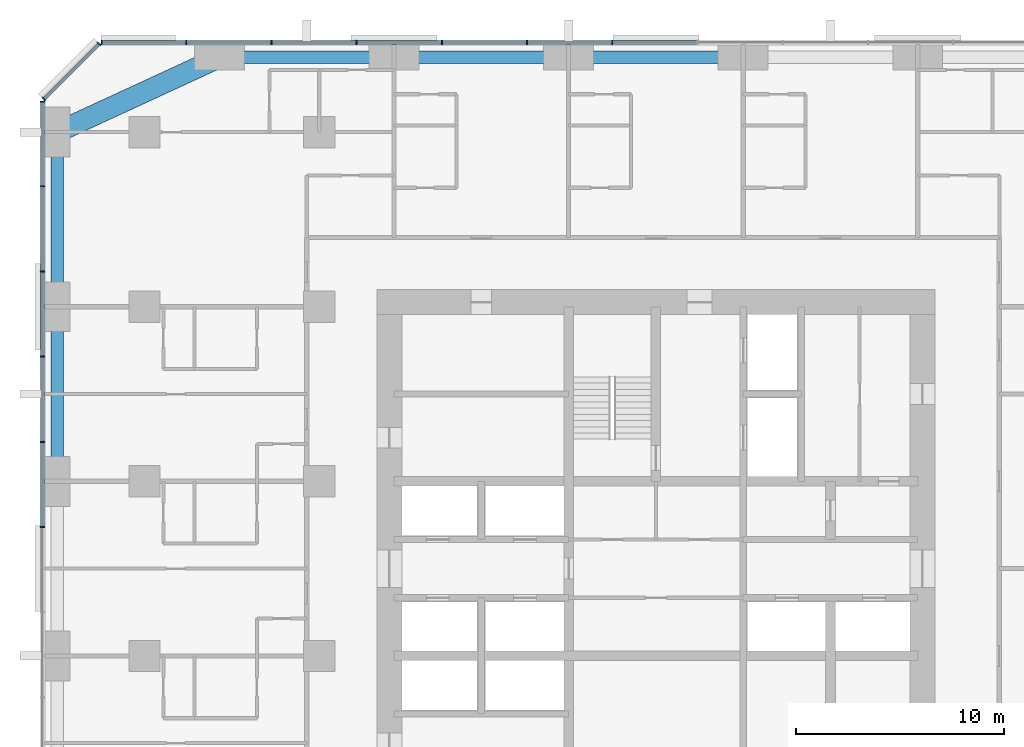
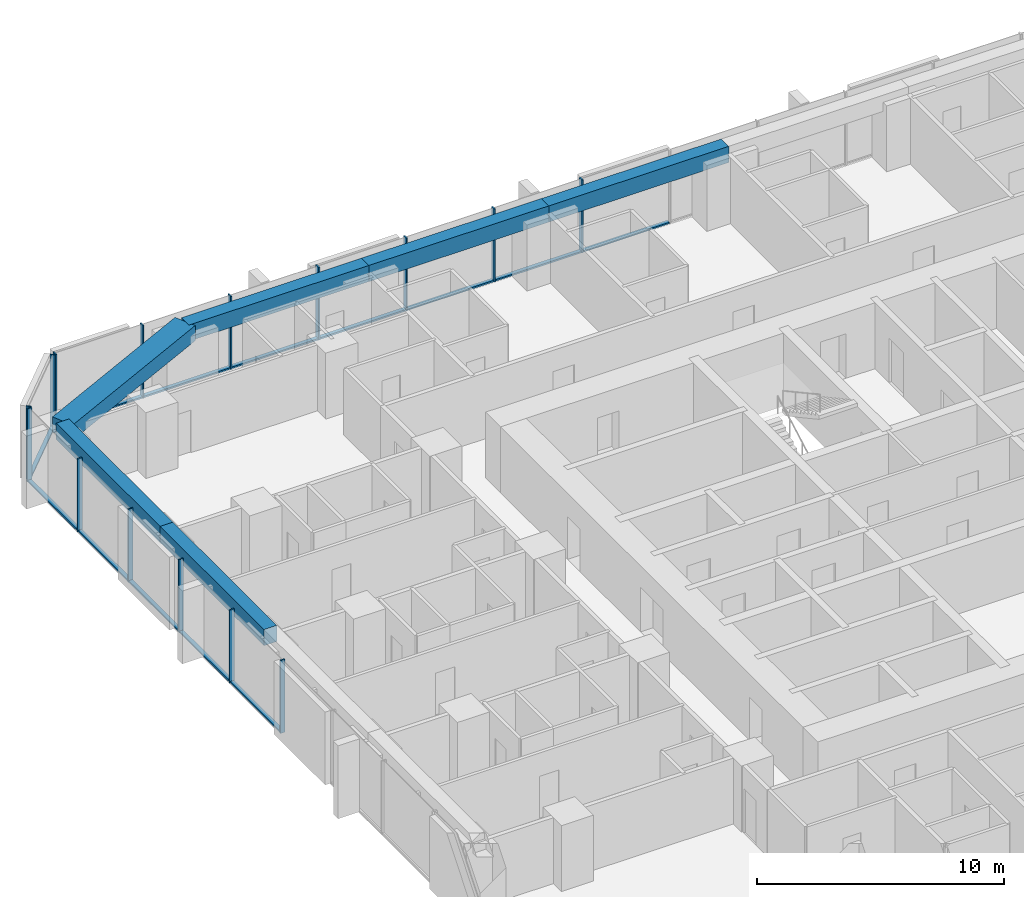
# One storey, part 5 of 14: 28 members, 6 beams, 3 elements without a shape of their own.
"""IFC4 building model written with IfcOpenShell, lengths in metres."""

import ifcopenshell
import ifcopenshell.guid

model = None  # the IFC model being written
_history = None  # IfcOwnerHistory: only IFC2X3 demands one
_inside = {}  # id of a spatial element -> (the spatial element, [elements in it])
_under = {}  # id of a project, library or spatial element -> (it, [spatial elements below it])
_declared = {}  # id of a project -> (the project, [libraries it declares])
_typed = {}  # id of a type object -> (the type object, [elements of that type])
_made_of = {}  # id of a material, layer set ... -> (it, [elements and type objects made of it])


def new_model(schema):
    """Start an empty IFC model of exactly this schema.

    Asked for "IFC4X3", IfcOpenShell would pick the latest addendum, in which some entities
    have other attributes; the version numbers below select the first issue.
    IFC2X3 requires an IfcOwnerHistory on every rooted entity: one is made here for all.
    """
    global model, _history
    if schema == "IFC4X3":
        model = ifcopenshell.file(schema_version=(4, 3, 0, 0))
    else:
        model = ifcopenshell.file(schema=schema)
    _inside.clear()
    _under.clear()
    _declared.clear()
    _typed.clear()
    _made_of.clear()
    _history = None
    if model.schema == "IFC2X3":
        org = make("IfcOrganization", Name="unknown")
        user = make(
            "IfcPersonAndOrganization",
            ThePerson=make("IfcPerson", FamilyName="unknown"),
            TheOrganization=org,
        )
        app = make(
            "IfcApplication",
            ApplicationDeveloper=org,
            Version="unknown",
            ApplicationFullName="unknown",
            ApplicationIdentifier="unknown",
        )
        _history = make(
            "IfcOwnerHistory",
            OwningUser=user,
            OwningApplication=app,
            ChangeAction="ADDED",
            CreationDate=0,
        )
    return model


def make(cls, **values):
    """One entity of the class cls with the attributes given. An attribute that is None is left unset."""
    return model.create_entity(
        cls, **{name: value for name, value in values.items() if value is not None}
    )


def rooted(cls, **values):
    """An entity with a GlobalId (a new one), such as an element, a storey or a relation."""
    return make(cls, GlobalId=ifcopenshell.guid.new(), OwnerHistory=_history, **values)


def si_unit(unit_type, name, prefix=None):
    """IfcSIUnit, for example si_unit("LENGTHUNIT", "METRE", prefix="MILLI")."""
    return make("IfcSIUnit", UnitType=unit_type, Prefix=prefix, Name=name)


def assignment(units):
    """IfcUnitAssignment: the units of a project."""
    return None if units is None else make("IfcUnitAssignment", Units=units)


def point(xyz):
    """IfcCartesianPoint."""
    return None if xyz is None else make("IfcCartesianPoint", Coordinates=xyz)


def direction(xyz):
    """IfcDirection."""
    return None if xyz is None else make("IfcDirection", DirectionRatios=xyz)


def frame(location, z_axis=None, x_axis=None):
    """IfcAxis2Placement3D, a coordinate frame: its origin and axes. An axis left out is left unset."""
    return make(
        "IfcAxis2Placement3D",
        Location=point(location),
        Axis=direction(z_axis),
        RefDirection=direction(x_axis),
    )


def frame_2d(location, x_axis=None):
    """IfcAxis2Placement2D, a coordinate frame in the plane: its origin and x axis."""
    return make(
        "IfcAxis2Placement2D", Location=point(location), RefDirection=direction(x_axis)
    )


def origin():
    """The frame at (0, 0, 0) with its axes left unset."""
    return frame((0.0, 0.0, 0.0))


def origin_2d():
    """The frame at (0, 0) in the plane with its x axis left unset."""
    return frame_2d((0.0, 0.0))


def place(relative_to, where):
    """IfcLocalPlacement: puts the frame where relative to a parent placement (None: the world)."""
    return make(
        "IfcLocalPlacement", PlacementRelTo=relative_to, RelativePlacement=where
    )


def context(
    kind, dimensions, precision=None, world=None, true_north=None, identifier=None
):
    """IfcGeometricRepresentationContext, for example the 3D "Model" context."""
    return make(
        "IfcGeometricRepresentationContext",
        ContextIdentifier=identifier,
        ContextType=kind,
        CoordinateSpaceDimension=dimensions,
        Precision=precision,
        WorldCoordinateSystem=world,
        TrueNorth=true_north,
    )


def subcontext(parent, identifier, kind, view, scale=None):
    """IfcGeometricRepresentationSubContext, for example "Body" below "Model"."""
    return make(
        "IfcGeometricRepresentationSubContext",
        ContextIdentifier=identifier,
        ContextType=kind,
        ParentContext=parent,
        TargetScale=scale,
        TargetView=view,
    )


def project(units=None, contexts=None):
    """IfcProject with its units and contexts."""
    return rooted(
        "IfcProject",
        Name="project",
        RepresentationContexts=contexts,
        UnitsInContext=assignment(units),
    )


def spatial(cls, under=None, at=None, **own):
    """A site, building, storey or space (cls), placed at a placement, below another one or the project."""
    s = rooted(cls, ObjectPlacement=at, **own)
    if under is not None:
        _under.setdefault(under.id(), (under, []))[1].append(s)
    return s


def profile(cls, at=None, kind="AREA", **sizes):
    """A parametric profile (cls). Its sizes go by their IFC names, for example OverallWidth=200.0."""
    return make(cls, ProfileType=kind, Position=at, **sizes)


def rectangle(**sizes):
    """IfcRectangleProfileDef."""
    return profile("IfcRectangleProfileDef", **sizes)


def extrude(swept, where, along, depth):
    """IfcExtrudedAreaSolid: the profile swept, set in the frame where, extruded along a direction by depth."""
    return make(
        "IfcExtrudedAreaSolid",
        SweptArea=swept,
        Position=where,
        ExtrudedDirection=direction(along),
        Depth=depth,
    )


def shape(context_of_items, identifier, shape_type, items):
    """IfcShapeRepresentation: the items that make up one representation, for example the "Body"."""
    return make(
        "IfcShapeRepresentation",
        ContextOfItems=context_of_items,
        RepresentationIdentifier=identifier,
        RepresentationType=shape_type,
        Items=items,
    )


def material(Name=None, Category=None):
    """IfcMaterial."""
    return make("IfcMaterial", Name=Name, Category=Category)


def material_profile(
    of_material, cross_section, Name=None, Category=None, Priority=None
):
    """IfcMaterialProfile: a cross section and its material."""
    return make(
        "IfcMaterialProfile",
        Name=Name,
        Material=of_material,
        Profile=cross_section,
        Priority=Priority,
        Category=Category,
    )


def profile_set(profiles, Name=None, composite=None):
    """IfcMaterialProfileSet."""
    return make(
        "IfcMaterialProfileSet",
        Name=Name,
        MaterialProfiles=profiles,
        CompositeProfile=composite,
    )


def made_of(thing, what):
    """Note that an element or type object is made of a material, layer set ...; save() writes the relation."""
    if what is not None:
        _made_of.setdefault(what.id(), (what, []))[1].append(thing)
    return thing


def type_object(cls, material=None, **own):
    """A type object (cls), such as IfcWallType, which elements share."""
    return made_of(rooted(cls, **own), material)


def element(
    cls,
    number,
    at=None,
    inside=None,
    cuts=None,
    type_object=None,
    material=None,
    context=None,
    identifier="Body",
    shape_type=None,
    held_by="IfcProductDefinitionShape",
    body=None,
    shapes=None,
    **own,
):
    """One element of the class cls, such as IfcWall. Its Tag is "e" and its number.

    at: its placement. inside: the storey or other place that contains it. cuts: it is an
    opening in that element (IfcRelVoidsElement). A single representation is given by context,
    identifier, shape_type and body (its items); several are given by shapes. held_by: the class
    of the entity that holds the representations. save() writes the other relations.
    """
    e = rooted(cls, Tag="e%d" % number, ObjectPlacement=at, **own)
    if body is not None:
        shapes = [shape(context, identifier, shape_type, body)]
    if shapes is not None:
        e.Representation = make(held_by, Representations=shapes)
    if inside is not None:
        _inside.setdefault(inside.id(), (inside, []))[1].append(e)
    if cuts is not None:
        rooted(
            "IfcRelVoidsElement", RelatingBuildingElement=cuts, RelatedOpeningElement=e
        )
    if type_object is not None:
        _typed.setdefault(type_object.id(), (type_object, []))[1].append(e)
    return made_of(e, material)


def aggregate(whole, parts):
    """IfcRelAggregates: a whole, such as a stair, and the parts it consists of."""
    return rooted("IfcRelAggregates", RelatingObject=whole, RelatedObjects=parts)


def save(model, path):
    """Write the relations noted so far, then the file.

    IfcRelAggregates (storeys below a building ...), IfcRelContainedInSpatialStructure (elements
    in a storey), IfcRelDefinesByType, IfcRelAssociatesMaterial and IfcRelDeclares: one each for
    every whole, place, type object, material and project.
    """
    for whole, parts in _under.values():
        aggregate(whole, parts)
    for where, things in _inside.values():
        rooted(
            "IfcRelContainedInSpatialStructure",
            RelatedElements=things,
            RelatingStructure=where,
        )
    for kind, things in _typed.values():
        rooted("IfcRelDefinesByType", RelatedObjects=things, RelatingType=kind)
    for what, things in _made_of.values():
        rooted("IfcRelAssociatesMaterial", RelatedObjects=things, RelatingMaterial=what)
    for by, libraries in _declared.values():
        rooted("IfcRelDeclares", RelatingContext=by, RelatedDefinitions=libraries)
    model.write(path)


model = new_model("IFC4")

# Units and contexts
model_context = context("Model", 3, precision=1e-05, world=origin(), true_north=direction((0.0, 1.0)))
body_context = subcontext(model_context, "Body", "Model", "MODEL_VIEW")
ifc_project = project(units=[si_unit("LENGTHUNIT", "METRE"), si_unit("AREAUNIT", "SQUARE_METRE"), si_unit("VOLUMEUNIT", "CUBIC_METRE"), si_unit("PLANEANGLEUNIT", "RADIAN"), si_unit("MASSUNIT", "GRAM", prefix="KILO")], contexts=[model_context])

# Site, building, storey
site_placement = place(None, origin())
site = spatial("IfcSite", under=ifc_project, at=site_placement, CompositionType="ELEMENT")
building_placement = place(site_placement, origin())
building = spatial("IfcBuilding", under=site, at=building_placement, Name="Dunama Terrace Hotel", CompositionType="ELEMENT")
storey_placement = place(building_placement, frame((0.0, 0.0, 104.39990234375)))
storey = spatial("IfcBuildingStorey", under=building, at=storey_placement, Name="L26", CompositionType="ELEMENT", Elevation=104.39990234375)

# Curtain wall, members
ifc_material_1 = material(Name="Aluminium curtain wall system", Category="aluminium")
curtain_wall_type = type_object("IfcCurtainWallType", Name="Unitised fritted glass wall CW-B", PredefinedType="NOTDEFINED", material=ifc_material_1)
curtain_wall_1_placement = place(storey_placement, origin())
curtain_wall_1 = element("IfcCurtainWall", 1, at=curtain_wall_1_placement, inside=storey, type_object=curtain_wall_type, Name="Unitised fritted glass wall CW-B L26", PredefinedType="NOTDEFINED")
ifc_material_2 = material(Name="Aluminium mullion", Category="aluminium")
ifc_material_profile_1 = material_profile(ifc_material_2, rectangle(XDim=0.06494140625, YDim=0.219970703125, at=origin_2d()), Name="CWB MULLION 65X220")
ifc_profile_set_1 = profile_set([ifc_material_profile_1], Name="Aluminium mullion")
member_type_1 = type_object("IfcMemberType", Name="CWB mullion 65x220", PredefinedType="MULLION", material=ifc_profile_set_1)
member_1_placement = place(storey_placement, frame((27.300048828125, 54.7099609375, 0.0), z_axis=(0.0, 0.0, 1.0), x_axis=(-1.0, 0.0, 0.0)))
member_1 = element("IfcMember", 2, at=member_1_placement, type_object=member_type_1, Name="CWB mullion", PredefinedType="MULLION", context=body_context, shape_type="SweptSolid", body=[
    extrude(rectangle(XDim=0.06494140625, YDim=0.219970703125, at=origin_2d()), origin(), (0.0, 0.0, 1.0), 3.60009765625),
])
member_2_placement = place(storey_placement, frame((23.199951171875, 54.7099609375, 0.0), z_axis=(0.0, 0.0, 1.0), x_axis=(-1.0, 0.0, 0.0)))
member_2 = element("IfcMember", 3, at=member_2_placement, type_object=member_type_1, Name="CWB mullion", PredefinedType="MULLION", context=body_context, shape_type="SweptSolid", body=[
    extrude(rectangle(XDim=0.06494140625, YDim=0.219970703125, at=origin_2d()), origin(), (0.0, 0.0, 1.0), 3.60009765625),
])
member_3_placement = place(storey_placement, frame((19.10009765625, 54.7099609375, 0.0), z_axis=(0.0, 0.0, 1.0), x_axis=(-1.0, 0.0, 0.0)))
member_3 = element("IfcMember", 4, at=member_3_placement, type_object=member_type_1, Name="CWB mullion", PredefinedType="MULLION", context=body_context, shape_type="SweptSolid", body=[
    extrude(rectangle(XDim=0.06494140625, YDim=0.219970703125, at=origin_2d()), origin(), (0.0, 0.0, 1.0), 3.60009765625),
])
member_4_placement = place(storey_placement, frame((15.0, 54.7099609375, 0.0), z_axis=(0.0, 0.0, 1.0), x_axis=(-1.0, 0.0, 0.0)))
member_4 = element("IfcMember", 5, at=member_4_placement, type_object=member_type_1, Name="CWB mullion", PredefinedType="MULLION", context=body_context, shape_type="SweptSolid", body=[
    extrude(rectangle(XDim=0.06494140625, YDim=0.219970703125, at=origin_2d()), origin(), (0.0, 0.0, 1.0), 3.60009765625),
])
member_5_placement = place(storey_placement, frame((10.89990234375, 54.7099609375, 0.0), z_axis=(0.0, 0.0, 1.0), x_axis=(-1.0, 0.0, 0.0)))
member_5 = element("IfcMember", 6, at=member_5_placement, type_object=member_type_1, Name="CWB mullion", PredefinedType="MULLION", context=body_context, shape_type="SweptSolid", body=[
    extrude(rectangle(XDim=0.06494140625, YDim=0.219970703125, at=origin_2d()), origin(), (0.0, 0.0, 1.0), 3.60009765625),
])
member_6_placement = place(storey_placement, frame((6.800048828125, 54.7099609375, 0.0), z_axis=(0.0, 0.0, 1.0), x_axis=(-1.0, 0.0, 0.0)))
member_6 = element("IfcMember", 7, at=member_6_placement, type_object=member_type_1, Name="CWB mullion", PredefinedType="MULLION", context=body_context, shape_type="SweptSolid", body=[
    extrude(rectangle(XDim=0.06494140625, YDim=0.219970703125, at=origin_2d()), origin(), (0.0, 0.0, 1.0), 3.60009765625),
])
member_7_placement = place(storey_placement, frame((2.73291015625, 54.7099609375, 0.0), z_axis=(0.0, 0.0, 1.0), x_axis=(-1.0, 0.0, 0.0)))
member_7 = element("IfcMember", 8, at=member_7_placement, type_object=member_type_1, Name="CWB mullion", PredefinedType="MULLION", context=body_context, shape_type="SweptSolid", body=[
    extrude(rectangle(XDim=0.06494140625, YDim=0.219970703125, at=origin_2d()), origin(), (0.0, 0.0, 1.0), 3.60009765625),
])

curtain_wall_2_placement = place(storey_placement, origin())
curtain_wall_2 = element("IfcCurtainWall", 9, at=curtain_wall_2_placement, inside=storey, type_object=curtain_wall_type, Name="Unitised fritted glass wall CW-B L26", PredefinedType="NOTDEFINED")
member_8_placement = place(storey_placement, frame((2.59912109375, 54.655029296875, 0.0), z_axis=(0.0, 0.0, 1.0), x_axis=(-0.707106781187, -0.707106781187, 0.0)))
member_8 = element("IfcMember", 10, at=member_8_placement, type_object=member_type_1, Name="CWB mullion", PredefinedType="MULLION", context=body_context, shape_type="SweptSolid", body=[
    extrude(rectangle(XDim=0.06494140625, YDim=0.219970703125, at=origin_2d()), origin(), (0.0, 0.0, 1.0), 3.60009765625),
])
member_9_placement = place(storey_placement, frame((-0.054931640625, 52.0009765625, 0.0), z_axis=(0.0, 0.0, 1.0), x_axis=(-0.707106781187, -0.707106781187, 0.0)))
member_9 = element("IfcMember", 11, at=member_9_placement, type_object=member_type_1, Name="CWB mullion", PredefinedType="MULLION", context=body_context, shape_type="SweptSolid", body=[
    extrude(rectangle(XDim=0.06494140625, YDim=0.219970703125, at=origin_2d()), origin(), (0.0, 0.0, 1.0), 3.60009765625),
])

curtain_wall_3_placement = place(storey_placement, origin())
curtain_wall_3 = element("IfcCurtainWall", 12, at=curtain_wall_3_placement, inside=storey, type_object=curtain_wall_type, Name="Unitised fritted glass wall CW-B L26", PredefinedType="NOTDEFINED")
member_10_placement = place(storey_placement, frame((-0.110107421875, 51.866943359375, 0.0), z_axis=(0.0, 0.0, 1.0), x_axis=(0.0, -1.0, 0.0)))
member_10 = element("IfcMember", 13, at=member_10_placement, type_object=member_type_1, Name="CWB mullion", PredefinedType="MULLION", context=body_context, shape_type="SweptSolid", body=[
    extrude(rectangle(XDim=0.06494140625, YDim=0.219970703125, at=origin_2d()), origin(), (0.0, 0.0, 1.0), 3.60009765625),
])
member_11_placement = place(storey_placement, frame((-0.110107421875, 47.800048828125, 0.0), z_axis=(0.0, 0.0, 1.0), x_axis=(0.0, -1.0, 0.0)))
member_11 = element("IfcMember", 14, at=member_11_placement, type_object=member_type_1, Name="CWB mullion", PredefinedType="MULLION", context=body_context, shape_type="SweptSolid", body=[
    extrude(rectangle(XDim=0.06494140625, YDim=0.219970703125, at=origin_2d()), origin(), (0.0, 0.0, 1.0), 3.60009765625),
])
member_12_placement = place(storey_placement, frame((-0.110107421875, 43.699951171875, 0.0), z_axis=(0.0, 0.0, 1.0), x_axis=(0.0, -1.0, 0.0)))
member_12 = element("IfcMember", 15, at=member_12_placement, type_object=member_type_1, Name="CWB mullion", PredefinedType="MULLION", context=body_context, shape_type="SweptSolid", body=[
    extrude(rectangle(XDim=0.06494140625, YDim=0.219970703125, at=origin_2d()), origin(), (0.0, 0.0, 1.0), 3.60009765625),
])
member_13_placement = place(storey_placement, frame((-0.110107421875, 39.60009765625, 0.0), z_axis=(0.0, 0.0, 1.0), x_axis=(0.0, -1.0, 0.0)))
member_13 = element("IfcMember", 16, at=member_13_placement, type_object=member_type_1, Name="CWB mullion", PredefinedType="MULLION", context=body_context, shape_type="SweptSolid", body=[
    extrude(rectangle(XDim=0.06494140625, YDim=0.219970703125, at=origin_2d()), origin(), (0.0, 0.0, 1.0), 3.60009765625),
])
member_14_placement = place(storey_placement, frame((-0.110107421875, 35.5, 0.0), z_axis=(0.0, 0.0, 1.0), x_axis=(0.0, -1.0, 0.0)))
member_14 = element("IfcMember", 17, at=member_14_placement, type_object=member_type_1, Name="CWB mullion", PredefinedType="MULLION", context=body_context, shape_type="SweptSolid", body=[
    extrude(rectangle(XDim=0.06494140625, YDim=0.219970703125, at=origin_2d()), origin(), (0.0, 0.0, 1.0), 3.60009765625),
])
member_15_placement = place(storey_placement, frame((-0.110107421875, 31.39990234375, 0.0), z_axis=(0.0, 0.0, 1.0), x_axis=(0.0, -1.0, 0.0)))
member_15 = element("IfcMember", 18, at=member_15_placement, type_object=member_type_1, Name="CWB mullion", PredefinedType="MULLION", context=body_context, shape_type="SweptSolid", body=[
    extrude(rectangle(XDim=0.06494140625, YDim=0.219970703125, at=origin_2d()), origin(), (0.0, 0.0, 1.0), 3.60009765625),
])

# Member
ifc_material_3 = material(Name="Aluminium transom", Category="aluminium")
ifc_material_profile_2 = material_profile(ifc_material_3, rectangle(XDim=0.179931640625, YDim=0.080078125, at=origin_2d()), Name="CWB TRANSOM 180X80")
ifc_profile_set_2 = profile_set([ifc_material_profile_2], Name="Aluminium transom")
member_type_2 = type_object("IfcMemberType", Name="CWB transom 180x80", PredefinedType="USERDEFINED", material=ifc_profile_set_2)
member_16_placement = place(storey_placement, frame((31.366943359375, 54.7099609375, 0.0400390625), z_axis=(-1.0, 0.0, 0.0), x_axis=(0.0, -1.0, 0.0)))
member_16 = element("IfcMember", 19, at=member_16_placement, type_object=member_type_2, Name="CWB transom", ObjectType="TRANSOM", PredefinedType="USERDEFINED", context=body_context, shape_type="SweptSolid", body=[
    extrude(rectangle(XDim=0.179931640625, YDim=0.080078125, at=origin_2d()), origin(), (0.0, 0.0, 1.0), 4.034912109375),
])

member_17_placement = place(storey_placement, frame((27.26806640625, 54.7099609375, 0.0400390625), z_axis=(-1.0, 0.0, 0.0), x_axis=(0.0, -1.0, 0.0)))
member_17 = element("IfcMember", 20, at=member_17_placement, type_object=member_type_2, Name="CWB transom", ObjectType="TRANSOM", PredefinedType="USERDEFINED", context=body_context, shape_type="SweptSolid", body=[
    extrude(rectangle(XDim=0.179931640625, YDim=0.080078125, at=origin_2d()), origin(), (0.0, 0.0, 1.0), 4.03515625),
])

member_18_placement = place(storey_placement, frame((23.16796875, 54.7099609375, 0.0400390625), z_axis=(-1.0, 0.0, 0.0), x_axis=(0.0, -1.0, 0.0)))
member_18 = element("IfcMember", 21, at=member_18_placement, type_object=member_type_2, Name="CWB transom", ObjectType="TRANSOM", PredefinedType="USERDEFINED", context=body_context, shape_type="SweptSolid", body=[
    extrude(rectangle(XDim=0.179931640625, YDim=0.080078125, at=origin_2d()), origin(), (0.0, 0.0, 1.0), 4.034912109375),
])

member_19_placement = place(storey_placement, frame((19.068115234375, 54.7099609375, 0.0400390625), z_axis=(-1.0, 0.0, 0.0), x_axis=(0.0, -1.0, 0.0)))
member_19 = element("IfcMember", 22, at=member_19_placement, type_object=member_type_2, Name="CWB transom", ObjectType="TRANSOM", PredefinedType="USERDEFINED", context=body_context, shape_type="SweptSolid", body=[
    extrude(rectangle(XDim=0.179931640625, YDim=0.080078125, at=origin_2d()), origin(), (0.0, 0.0, 1.0), 4.0361328125),
])

member_20_placement = place(storey_placement, frame((14.968017578125, 54.7099609375, 0.0400390625), z_axis=(-1.0, 0.0, 0.0), x_axis=(0.0, -1.0, 0.0)))
member_20 = element("IfcMember", 23, at=member_20_placement, type_object=member_type_2, Name="CWB transom", ObjectType="TRANSOM", PredefinedType="USERDEFINED", context=body_context, shape_type="SweptSolid", body=[
    extrude(rectangle(XDim=0.179931640625, YDim=0.080078125, at=origin_2d()), origin(), (0.0, 0.0, 1.0), 4.0361328125),
])

member_21_placement = place(storey_placement, frame((10.866943359375, 54.7099609375, 0.0400390625), z_axis=(-1.0, 0.0, 0.0), x_axis=(0.0, -1.0, 0.0)))
member_21 = element("IfcMember", 24, at=member_21_placement, type_object=member_type_2, Name="CWB transom", ObjectType="TRANSOM", PredefinedType="USERDEFINED", context=body_context, shape_type="SweptSolid", body=[
    extrude(rectangle(XDim=0.179931640625, YDim=0.080078125, at=origin_2d()), origin(), (0.0, 0.0, 1.0), 4.033935546875),
])

member_22_placement = place(storey_placement, frame((6.76806640625, 54.7099609375, 0.0400390625), z_axis=(-1.0, 0.0, 0.0), x_axis=(0.0, -1.0, 0.0)))
member_22 = element("IfcMember", 25, at=member_22_placement, type_object=member_type_2, Name="CWB transom", ObjectType="TRANSOM", PredefinedType="USERDEFINED", context=body_context, shape_type="SweptSolid", body=[
    extrude(rectangle(XDim=0.179931640625, YDim=0.080078125, at=origin_2d()), origin(), (0.0, 0.0, 1.0), 4.003173828125),
])

aggregate(curtain_wall_1, [member_1, member_2, member_3, member_4, member_5, member_6, member_7, member_16, member_17, member_18, member_19, member_20, member_21, member_22])

member_23_placement = place(storey_placement, frame((2.575927734375, 54.632080078125, 0.0400390625), z_axis=(-0.707073683909, -0.707139876915, 0.0), x_axis=(0.707139876915, -0.707073683909, 0.0)))
member_23 = element("IfcMember", 26, at=member_23_placement, type_object=member_type_2, Name="CWB transom", ObjectType="TRANSOM", PredefinedType="USERDEFINED", context=body_context, shape_type="SweptSolid", body=[
    extrude(rectangle(XDim=0.179931640625, YDim=0.080078125, at=origin_2d()), origin(), (0.0, 0.0, 1.0), 3.688232421875),
])

aggregate(curtain_wall_2, [member_8, member_9, member_23])

member_24_placement = place(storey_placement, frame((-0.110107421875, 51.8349609375, 0.0400390625), z_axis=(0.0, -1.0, 0.0), x_axis=(1.0, 0.0, 0.0)))
member_24 = element("IfcMember", 27, at=member_24_placement, type_object=member_type_2, Name="CWB transom", ObjectType="TRANSOM", PredefinedType="USERDEFINED", context=body_context, shape_type="SweptSolid", body=[
    extrude(rectangle(XDim=0.179931640625, YDim=0.080078125, at=origin_2d()), origin(), (0.0, 0.0, 1.0), 4.0029296875),
])

member_25_placement = place(storey_placement, frame((-0.110107421875, 47.76708984375, 0.0400390625), z_axis=(0.0, -1.0, 0.0), x_axis=(1.0, 0.0, 0.0)))
member_25 = element("IfcMember", 28, at=member_25_placement, type_object=member_type_2, Name="CWB transom", ObjectType="TRANSOM", PredefinedType="USERDEFINED", context=body_context, shape_type="SweptSolid", body=[
    extrude(rectangle(XDim=0.179931640625, YDim=0.080078125, at=origin_2d()), origin(), (0.0, 0.0, 1.0), 4.0341796875),
])

member_26_placement = place(storey_placement, frame((-0.110107421875, 43.6669921875, 0.0400390625), z_axis=(0.0, -1.0, 0.0), x_axis=(1.0, 0.0, 0.0)))
member_26 = element("IfcMember", 29, at=member_26_placement, type_object=member_type_2, Name="CWB transom", ObjectType="TRANSOM", PredefinedType="USERDEFINED", context=body_context, shape_type="SweptSolid", body=[
    extrude(rectangle(XDim=0.179931640625, YDim=0.080078125, at=origin_2d()), origin(), (0.0, 0.0, 1.0), 4.033935546875),
])

member_27_placement = place(storey_placement, frame((-0.110107421875, 39.56689453125, 0.0400390625), z_axis=(0.0, -1.0, 0.0), x_axis=(1.0, 0.0, 0.0)))
member_27 = element("IfcMember", 30, at=member_27_placement, type_object=member_type_2, Name="CWB transom", ObjectType="TRANSOM", PredefinedType="USERDEFINED", context=body_context, shape_type="SweptSolid", body=[
    extrude(rectangle(XDim=0.179931640625, YDim=0.080078125, at=origin_2d()), origin(), (0.0, 0.0, 1.0), 4.034912109375),
])

member_28_placement = place(storey_placement, frame((-0.110107421875, 35.468017578125, 0.0400390625), z_axis=(0.0, -1.0, 0.0), x_axis=(1.0, 0.0, 0.0)))
member_28 = element("IfcMember", 31, at=member_28_placement, type_object=member_type_2, Name="CWB transom", ObjectType="TRANSOM", PredefinedType="USERDEFINED", context=body_context, shape_type="SweptSolid", body=[
    extrude(rectangle(XDim=0.179931640625, YDim=0.080078125, at=origin_2d()), origin(), (0.0, 0.0, 1.0), 4.0361328125),
])

aggregate(curtain_wall_3, [member_10, member_11, member_12, member_13, member_14, member_15, member_24, member_25, member_26, member_27, member_28])

# Beams
ifc_material_4 = material(Name="Concrete C50/60", Category="concrete")
ifc_material_profile_3 = material_profile(ifc_material_4, rectangle(XDim=1.0, YDim=0.75, at=origin_2d()), Name="RC 1000x750")
ifc_profile_set_3 = profile_set([ifc_material_profile_3], Name="Concrete C50/60")
beam_type_1 = type_object("IfcBeamType", Name="Edge beam RC 1000x750", PredefinedType="SPANDREL", material=ifc_profile_set_3)
beam_1_placement = place(storey_placement, frame((8.39990234375, 54.0, 3.22509765625), z_axis=(-0.907951066374, -0.419076199598, 0.0), x_axis=(0.419076199598, -0.907951066374, 0.0)))
element("IfcBeam", 32, at=beam_1_placement, inside=storey, type_object=beam_type_1, Name="Corner edge beam under L27", PredefinedType="SPANDREL", context=body_context, shape_type="SweptSolid", body=[
    extrude(rectangle(XDim=1.0, YDim=0.75, at=origin_2d()), origin(), (0.0, 0.0, 1.0), 8.590576171875),
])
ifc_material_5 = material(Name="Concrete C40/50", Category="concrete")
ifc_material_profile_4 = material_profile(ifc_material_5, rectangle(XDim=0.60009765625, YDim=0.800048828125, at=origin_2d()), Name="RC 600x800")
ifc_profile_set_4 = profile_set([ifc_material_profile_4], Name="Concrete C40/50")
beam_type_2 = type_object("IfcBeamType", Name="Edge beam RC 600x800", PredefinedType="SPANDREL", material=ifc_profile_set_4)
for number, where, z_axis, x_axis, name in (
    (33, (0.60009765625, 33.60009765625, 3.2001953125), (0.0, 1.0, 0.0), (-1.0, 0.0, 0.0), "Edge beam under L27"),
    (34, (0.60009765625, 42.0, 3.2001953125), (0.0, 1.0, 0.0), (-1.0, 0.0, 0.0), "Edge beam under L27"),
):
    element("IfcBeam", number, at=place(storey_placement, frame(where, z_axis=z_axis, x_axis=x_axis)), inside=storey, type_object=beam_type_2, Name=name, PredefinedType="SPANDREL", context=body_context, shape_type="SweptSolid", body=[
        extrude(rectangle(XDim=0.60009765625, YDim=0.800048828125, at=origin_2d()), origin(), (0.0, 0.0, 1.0), 8.39990234375),
    ])
beam_2_placement = place(storey_placement, frame((8.39990234375, 54.0, 3.2001953125), z_axis=(1.0, 0.0, 0.0), x_axis=(0.0, 1.0, 0.0)))
element("IfcBeam", 35, at=beam_2_placement, inside=storey, type_object=beam_type_2, Name="Edge beam under L27", PredefinedType="SPANDREL", context=body_context, shape_type="SweptSolid", body=[
    extrude(rectangle(XDim=0.60009765625, YDim=0.800048828125, at=origin_2d()), origin(), (0.0, 0.0, 1.0), 8.400146484375),
])
beam_3_placement = place(storey_placement, frame((16.800048828125, 54.0, 3.2001953125), z_axis=(1.0, 0.0, 0.0), x_axis=(0.0, 1.0, 0.0)))
element("IfcBeam", 36, at=beam_3_placement, inside=storey, type_object=beam_type_2, Name="Edge beam under L27", PredefinedType="SPANDREL", context=body_context, shape_type="SweptSolid", body=[
    extrude(rectangle(XDim=0.60009765625, YDim=0.800048828125, at=origin_2d()), origin(), (0.0, 0.0, 1.0), 8.39990234375),
])
beam_4_placement = place(storey_placement, frame((25.199951171875, 54.0, 3.2001953125), z_axis=(1.0, 0.0, 0.0), x_axis=(0.0, 1.0, 0.0)))
element("IfcBeam", 37, at=beam_4_placement, inside=storey, type_object=beam_type_2, Name="Edge beam under L27", PredefinedType="SPANDREL", context=body_context, shape_type="SweptSolid", body=[
    extrude(rectangle(XDim=0.60009765625, YDim=0.800048828125, at=origin_2d()), origin(), (0.0, 0.0, 1.0), 8.400146484375),
])

save(model, "model.ifc")
